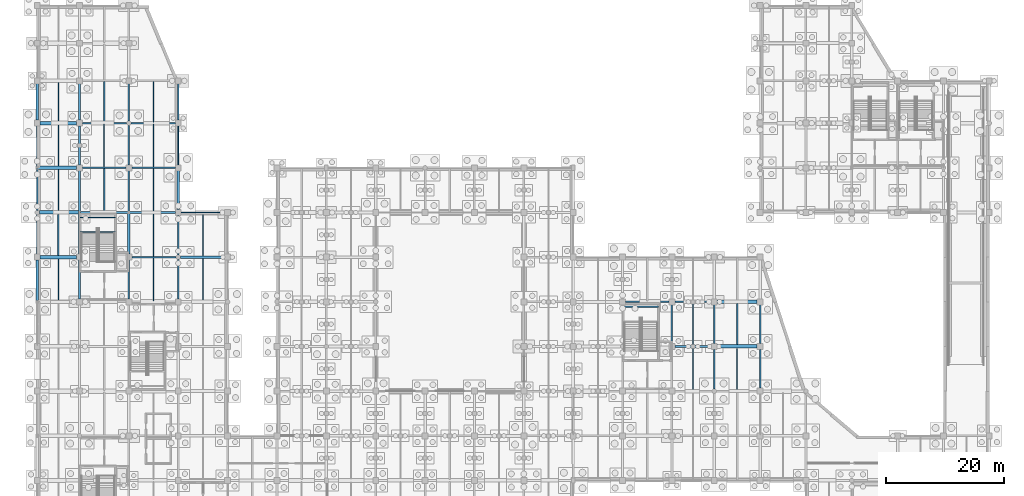
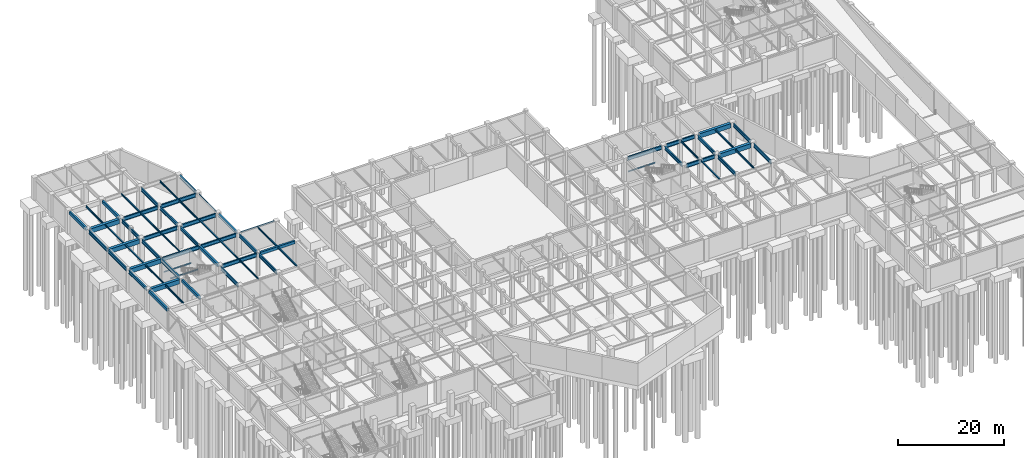
# One storey, part 26 of 52: 65 beams.
"""IFC4 building model written with IfcOpenShell, lengths in metres."""

import ifcopenshell
import ifcopenshell.guid

model = None  # the IFC model being written
_history = None  # IfcOwnerHistory: only IFC2X3 demands one
_inside = {}  # id of a spatial element -> (the spatial element, [elements in it])
_under = {}  # id of a project, library or spatial element -> (it, [spatial elements below it])
_declared = {}  # id of a project -> (the project, [libraries it declares])
_typed = {}  # id of a type object -> (the type object, [elements of that type])
_made_of = {}  # id of a material, layer set ... -> (it, [elements and type objects made of it])


def new_model(schema):
    """Start an empty IFC model of exactly this schema.

    Asked for "IFC4X3", IfcOpenShell would pick the latest addendum, in which some entities
    have other attributes; the version numbers below select the first issue.
    IFC2X3 requires an IfcOwnerHistory on every rooted entity: one is made here for all.
    """
    global model, _history
    if schema == "IFC4X3":
        model = ifcopenshell.file(schema_version=(4, 3, 0, 0))
    else:
        model = ifcopenshell.file(schema=schema)
    _inside.clear()
    _under.clear()
    _declared.clear()
    _typed.clear()
    _made_of.clear()
    _history = None
    if model.schema == "IFC2X3":
        org = make("IfcOrganization", Name="unknown")
        user = make(
            "IfcPersonAndOrganization",
            ThePerson=make("IfcPerson", FamilyName="unknown"),
            TheOrganization=org,
        )
        app = make(
            "IfcApplication",
            ApplicationDeveloper=org,
            Version="unknown",
            ApplicationFullName="unknown",
            ApplicationIdentifier="unknown",
        )
        _history = make(
            "IfcOwnerHistory",
            OwningUser=user,
            OwningApplication=app,
            ChangeAction="ADDED",
            CreationDate=0,
        )
    return model


def make(cls, **values):
    """One entity of the class cls with the attributes given. An attribute that is None is left unset."""
    return model.create_entity(
        cls, **{name: value for name, value in values.items() if value is not None}
    )


def rooted(cls, **values):
    """An entity with a GlobalId (a new one), such as an element, a storey or a relation."""
    return make(cls, GlobalId=ifcopenshell.guid.new(), OwnerHistory=_history, **values)


def si_unit(unit_type, name, prefix=None):
    """IfcSIUnit, for example si_unit("LENGTHUNIT", "METRE", prefix="MILLI")."""
    return make("IfcSIUnit", UnitType=unit_type, Prefix=prefix, Name=name)


def assignment(units):
    """IfcUnitAssignment: the units of a project."""
    return None if units is None else make("IfcUnitAssignment", Units=units)


def point(xyz):
    """IfcCartesianPoint."""
    return None if xyz is None else make("IfcCartesianPoint", Coordinates=xyz)


def direction(xyz):
    """IfcDirection."""
    return None if xyz is None else make("IfcDirection", DirectionRatios=xyz)


def frame(location, z_axis=None, x_axis=None):
    """IfcAxis2Placement3D, a coordinate frame: its origin and axes. An axis left out is left unset."""
    return make(
        "IfcAxis2Placement3D",
        Location=point(location),
        Axis=direction(z_axis),
        RefDirection=direction(x_axis),
    )


def frame_2d(location, x_axis=None):
    """IfcAxis2Placement2D, a coordinate frame in the plane: its origin and x axis."""
    return make(
        "IfcAxis2Placement2D", Location=point(location), RefDirection=direction(x_axis)
    )


def origin():
    """The frame at (0, 0, 0) with its axes left unset."""
    return frame((0.0, 0.0, 0.0))


def origin_2d():
    """The frame at (0, 0) in the plane with its x axis left unset."""
    return frame_2d((0.0, 0.0))


def place(relative_to, where):
    """IfcLocalPlacement: puts the frame where relative to a parent placement (None: the world)."""
    return make(
        "IfcLocalPlacement", PlacementRelTo=relative_to, RelativePlacement=where
    )


def context(
    kind, dimensions, precision=None, world=None, true_north=None, identifier=None
):
    """IfcGeometricRepresentationContext, for example the 3D "Model" context."""
    return make(
        "IfcGeometricRepresentationContext",
        ContextIdentifier=identifier,
        ContextType=kind,
        CoordinateSpaceDimension=dimensions,
        Precision=precision,
        WorldCoordinateSystem=world,
        TrueNorth=true_north,
    )


def subcontext(parent, identifier, kind, view, scale=None):
    """IfcGeometricRepresentationSubContext, for example "Body" below "Model"."""
    return make(
        "IfcGeometricRepresentationSubContext",
        ContextIdentifier=identifier,
        ContextType=kind,
        ParentContext=parent,
        TargetScale=scale,
        TargetView=view,
    )


def project(units=None, contexts=None):
    """IfcProject with its units and contexts."""
    return rooted(
        "IfcProject",
        Name="project",
        RepresentationContexts=contexts,
        UnitsInContext=assignment(units),
    )


def spatial(cls, under=None, at=None, **own):
    """A site, building, storey or space (cls), placed at a placement, below another one or the project."""
    s = rooted(cls, ObjectPlacement=at, **own)
    if under is not None:
        _under.setdefault(under.id(), (under, []))[1].append(s)
    return s


def profile(cls, at=None, kind="AREA", **sizes):
    """A parametric profile (cls). Its sizes go by their IFC names, for example OverallWidth=200.0."""
    return make(cls, ProfileType=kind, Position=at, **sizes)


def rectangle(**sizes):
    """IfcRectangleProfileDef."""
    return profile("IfcRectangleProfileDef", **sizes)


def hollow_rectangle(**sizes):
    """IfcRectangleHollowProfileDef."""
    return profile("IfcRectangleHollowProfileDef", **sizes)


def i_section(**sizes):
    """IfcIShapeProfileDef."""
    return profile("IfcIShapeProfileDef", **sizes)


def extrude(swept, where, along, depth):
    """IfcExtrudedAreaSolid: the profile swept, set in the frame where, extruded along a direction by depth."""
    return make(
        "IfcExtrudedAreaSolid",
        SweptArea=swept,
        Position=where,
        ExtrudedDirection=direction(along),
        Depth=depth,
    )


def shape(context_of_items, identifier, shape_type, items):
    """IfcShapeRepresentation: the items that make up one representation, for example the "Body"."""
    return make(
        "IfcShapeRepresentation",
        ContextOfItems=context_of_items,
        RepresentationIdentifier=identifier,
        RepresentationType=shape_type,
        Items=items,
    )


def material(Name=None, Category=None):
    """IfcMaterial."""
    return make("IfcMaterial", Name=Name, Category=Category)


def material_profile(
    of_material, cross_section, Name=None, Category=None, Priority=None
):
    """IfcMaterialProfile: a cross section and its material."""
    return make(
        "IfcMaterialProfile",
        Name=Name,
        Material=of_material,
        Profile=cross_section,
        Priority=Priority,
        Category=Category,
    )


def profile_set(profiles, Name=None, composite=None):
    """IfcMaterialProfileSet."""
    return make(
        "IfcMaterialProfileSet",
        Name=Name,
        MaterialProfiles=profiles,
        CompositeProfile=composite,
    )


def made_of(thing, what):
    """Note that an element or type object is made of a material, layer set ...; save() writes the relation."""
    if what is not None:
        _made_of.setdefault(what.id(), (what, []))[1].append(thing)
    return thing


def type_object(cls, material=None, **own):
    """A type object (cls), such as IfcWallType, which elements share."""
    return made_of(rooted(cls, **own), material)


def element(
    cls,
    number,
    at=None,
    inside=None,
    cuts=None,
    type_object=None,
    material=None,
    context=None,
    identifier="Body",
    shape_type=None,
    held_by="IfcProductDefinitionShape",
    body=None,
    shapes=None,
    **own,
):
    """One element of the class cls, such as IfcWall. Its Tag is "e" and its number.

    at: its placement. inside: the storey or other place that contains it. cuts: it is an
    opening in that element (IfcRelVoidsElement). A single representation is given by context,
    identifier, shape_type and body (its items); several are given by shapes. held_by: the class
    of the entity that holds the representations. save() writes the other relations.
    """
    e = rooted(cls, Tag="e%d" % number, ObjectPlacement=at, **own)
    if body is not None:
        shapes = [shape(context, identifier, shape_type, body)]
    if shapes is not None:
        e.Representation = make(held_by, Representations=shapes)
    if inside is not None:
        _inside.setdefault(inside.id(), (inside, []))[1].append(e)
    if cuts is not None:
        rooted(
            "IfcRelVoidsElement", RelatingBuildingElement=cuts, RelatedOpeningElement=e
        )
    if type_object is not None:
        _typed.setdefault(type_object.id(), (type_object, []))[1].append(e)
    return made_of(e, material)


def aggregate(whole, parts):
    """IfcRelAggregates: a whole, such as a stair, and the parts it consists of."""
    return rooted("IfcRelAggregates", RelatingObject=whole, RelatedObjects=parts)


def save(model, path):
    """Write the relations noted so far, then the file.

    IfcRelAggregates (storeys below a building ...), IfcRelContainedInSpatialStructure (elements
    in a storey), IfcRelDefinesByType, IfcRelAssociatesMaterial and IfcRelDeclares: one each for
    every whole, place, type object, material and project.
    """
    for whole, parts in _under.values():
        aggregate(whole, parts)
    for where, things in _inside.values():
        rooted(
            "IfcRelContainedInSpatialStructure",
            RelatedElements=things,
            RelatingStructure=where,
        )
    for kind, things in _typed.values():
        rooted("IfcRelDefinesByType", RelatedObjects=things, RelatingType=kind)
    for what, things in _made_of.values():
        rooted("IfcRelAssociatesMaterial", RelatedObjects=things, RelatingMaterial=what)
    for by, libraries in _declared.values():
        rooted("IfcRelDeclares", RelatingContext=by, RelatedDefinitions=libraries)
    model.write(path)


model = new_model("IFC4")

# Units and contexts
model_context = context("Model", 3, precision=1e-05, world=origin(), true_north=direction((0.0, 1.0)))
body_context = subcontext(model_context, "Body", "Model", "MODEL_VIEW")
ifc_project = project(units=[si_unit("LENGTHUNIT", "METRE"), si_unit("AREAUNIT", "SQUARE_METRE"), si_unit("VOLUMEUNIT", "CUBIC_METRE"), si_unit("PLANEANGLEUNIT", "RADIAN"), si_unit("MASSUNIT", "GRAM", prefix="KILO")], contexts=[model_context])

# Site, building, storey
site_placement = place(None, origin())
site = spatial("IfcSite", under=ifc_project, at=site_placement, CompositionType="ELEMENT")
building_placement = place(site_placement, origin())
building = spatial("IfcBuilding", under=site, at=building_placement, Name="Xicomal Pleat Aquarium", CompositionType="ELEMENT")
storey_placement = place(building_placement, frame((0.0, 0.0, -5.39990234375)))
storey = spatial("IfcBuildingStorey", under=building, at=storey_placement, Name="B1", CompositionType="ELEMENT", Elevation=-5.39990234375)

# Beams
ifc_material_1 = material(Name="Concrete C40/50", Category="concrete")
ifc_material_profile_1 = material_profile(ifc_material_1, rectangle(XDim=0.39990234375, YDim=0.64990234375, at=origin_2d()), Name="RC 400x650")
ifc_profile_set_1 = profile_set([ifc_material_profile_1], Name="Concrete C40/50")
beam_type_1 = type_object("IfcBeamType", Name="BM-RC-400x650", PredefinedType="LINTEL", material=ifc_profile_set_1)
beam_1_placement = place(storey_placement, frame((27.3701171875, 68.39990234375, 4.81494140625), z_axis=(1.0, 0.0, 0.0), x_axis=(0.0, 1.0, 0.0)))
element("IfcBeam", 1, at=beam_1_placement, inside=storey, type_object=beam_type_1, Name="B1 framing beam FGX-B1-04-05-K", PredefinedType="LINTEL", context=body_context, shape_type="SweptSolid", body=[
    extrude(rectangle(XDim=0.39990234375, YDim=0.64990234375, at=origin_2d()), origin(), (0.0, 0.0, 1.0), 7.534912109375),
])
beam_2_placement = place(storey_placement, frame((3.0, 60.945068359375, 4.81494140625), z_axis=(0.0, 1.0, 0.0), x_axis=(-1.0, 0.0, 0.0)))
element("IfcBeam", 2, at=beam_2_placement, inside=storey, type_object=beam_type_1, Name="B1 framing beam FGY-B1-01-J-K", PredefinedType="LINTEL", context=body_context, shape_type="SweptSolid", body=[
    extrude(rectangle(XDim=0.39990234375, YDim=0.64990234375, at=origin_2d()), origin(), (0.0, 0.0, 1.0), 6.9599609375),
])
beam_3_placement = place(storey_placement, frame((3.0, 91.695068359375, 4.81494140625), z_axis=(0.0, 1.0, 0.0), x_axis=(-1.0, 0.0, 0.0)))
element("IfcBeam", 3, at=beam_3_placement, inside=storey, type_object=beam_type_1, Name="B1 framing beam FGY-B1-01-N-P", PredefinedType="LINTEL", context=body_context, shape_type="SweptSolid", body=[
    extrude(rectangle(XDim=0.39990234375, YDim=0.64990234375, at=origin_2d()), origin(), (0.0, 0.0, 1.0), 6.2099609375),
])
beam_4_placement = place(storey_placement, frame((10.199951171875, 61.294921875, 4.81494140625), z_axis=(0.0, 1.0, 0.0), x_axis=(-1.0, 0.0, 0.0)))
element("IfcBeam", 4, at=beam_4_placement, inside=storey, type_object=beam_type_1, Name="B1 framing beam FGY-B1-02-J-K", PredefinedType="LINTEL", context=body_context, shape_type="SweptSolid", body=[
    extrude(rectangle(XDim=0.39990234375, YDim=0.64990234375, at=origin_2d()), origin(), (0.0, 0.0, 1.0), 6.610107421875),
])
beam_5_placement = place(storey_placement, frame((10.199951171875, 91.695068359375, 4.81494140625), z_axis=(0.0, 1.0, 0.0), x_axis=(-1.0, 0.0, 0.0)))
element("IfcBeam", 5, at=beam_5_placement, inside=storey, type_object=beam_type_1, Name="B1 framing beam FGY-B1-02-N-P", PredefinedType="LINTEL", context=body_context, shape_type="SweptSolid", body=[
    extrude(rectangle(XDim=0.39990234375, YDim=0.64990234375, at=origin_2d()), origin(), (0.0, 0.0, 1.0), 6.2099609375),
])
beam_6_placement = place(storey_placement, frame((18.60009765625, 68.89501953125, 4.81494140625), z_axis=(0.0, 1.0, 0.0), x_axis=(-1.0, 0.0, 0.0)))
element("IfcBeam", 6, at=beam_6_placement, inside=storey, type_object=beam_type_1, Name="B1 framing beam FGY-B1-03-K-L", PredefinedType="LINTEL", context=body_context, shape_type="SweptSolid", body=[
    extrude(rectangle(XDim=0.39990234375, YDim=0.64990234375, at=origin_2d()), origin(), (0.0, 0.0, 1.0), 6.9599609375),
])
beam_7_placement = place(storey_placement, frame((27.0, 76.4951171875, 4.81494140625), z_axis=(0.0, 1.0, 0.0), x_axis=(-1.0, 0.0, 0.0)))
element("IfcBeam", 7, at=beam_7_placement, inside=storey, type_object=beam_type_1, Name="B1 framing beam FGY-B1-04-L-M", PredefinedType="LINTEL", context=body_context, shape_type="SweptSolid", body=[
    extrude(rectangle(XDim=0.39990234375, YDim=0.64990234375, at=origin_2d()), origin(), (0.0, 0.0, 1.0), 6.60986328125),
])
ifc_material_2 = material(Name="Concrete C40/50", Category="concrete")
ifc_material_profile_2 = material_profile(ifc_material_2, rectangle(XDim=0.60009765625, YDim=1.0, at=origin_2d()), Name="RC 600x1000")
ifc_profile_set_2 = profile_set([ifc_material_profile_2], Name="Concrete C40/50")
beam_type_2 = type_object("IfcBeamType", Name="BM-RC-600x1000", PredefinedType="T_BEAM", material=ifc_profile_set_2)
for number, where, z_axis, x_axis, name in (
    (8, (118.695068359375, 53.199951171875, 4.639892578125), (1.0, 0.0, 0.0), (0.0, 1.0, 0.0), "B1 framing beam FGX-B1-15-16-H"),
    (9, (118.695068359375, 60.800048828125, 4.639892578125), (1.0, 0.0, 0.0), (0.0, 1.0, 0.0), "B1 framing beam FGX-B1-15-16-J"),
):
    element("IfcBeam", number, at=place(storey_placement, frame(where, z_axis=z_axis, x_axis=x_axis)), inside=storey, type_object=beam_type_2, Name=name, PredefinedType="T_BEAM", context=body_context, shape_type="SweptSolid", body=[
        extrude(rectangle(XDim=0.60009765625, YDim=1.0, at=origin_2d()), origin(), (0.0, 0.0, 1.0), 6.809814453125),
    ])
beam_8_placement = place(storey_placement, frame((3.4951171875, 68.39990234375, 4.639892578125), z_axis=(1.0, 0.0, 0.0), x_axis=(0.0, 1.0, 0.0)))
element("IfcBeam", 10, at=beam_8_placement, inside=storey, type_object=beam_type_2, Name="B1 framing beam FGX-B1-01-02-K", PredefinedType="T_BEAM", context=body_context, shape_type="SweptSolid", body=[
    extrude(rectangle(XDim=0.60009765625, YDim=1.0, at=origin_2d()), origin(), (0.0, 0.0, 1.0), 6.2099609375),
])
beam_9_placement = place(storey_placement, frame((3.3701171875, 76.0, 4.639892578125), z_axis=(1.0, 0.0, 0.0), x_axis=(0.0, 1.0, 0.0)))
element("IfcBeam", 11, at=beam_9_placement, inside=storey, type_object=beam_type_2, Name="B1 framing beam FGX-B1-01-02-L", PredefinedType="T_BEAM", context=body_context, shape_type="SweptSolid", body=[
    extrude(rectangle(XDim=0.60009765625, YDim=1.0, at=origin_2d()), origin(), (0.0, 0.0, 1.0), 6.684814453125),
])
beam_10_placement = place(storey_placement, frame((3.14501953125, 83.60009765625, 4.639892578125), z_axis=(1.0, 0.0, 0.0), x_axis=(0.0, 1.0, 0.0)))
element("IfcBeam", 12, at=beam_10_placement, inside=storey, type_object=beam_type_2, Name="B1 framing beam FGX-B1-01-02-M", PredefinedType="T_BEAM", context=body_context, shape_type="SweptSolid", body=[
    extrude(rectangle(XDim=0.60009765625, YDim=1.0, at=origin_2d()), origin(), (0.0, 0.0, 1.0), 6.56005859375),
])
beam_11_placement = place(storey_placement, frame((3.4951171875, 91.199951171875, 4.639892578125), z_axis=(1.0, 0.0, 0.0), x_axis=(0.0, 1.0, 0.0)))
element("IfcBeam", 13, at=beam_11_placement, inside=storey, type_object=beam_type_2, Name="B1 framing beam FGX-B1-01-02-N", PredefinedType="T_BEAM", context=body_context, shape_type="SweptSolid", body=[
    extrude(rectangle(XDim=0.60009765625, YDim=1.0, at=origin_2d()), origin(), (0.0, 0.0, 1.0), 6.2099609375),
])
ifc_material_3 = material(Name="Structural steel A992 Gr 50", Category="steel")
ifc_material_profile_3 = material_profile(ifc_material_3, i_section(OverallWidth=0.201904296875, OverallDepth=0.2470703125, WebThickness=0.00732421875, FlangeThickness=0.010986328125, at=origin_2d()), Name="IR 250x49")
ifc_profile_set_3 = profile_set([ifc_material_profile_3], Name="Structural steel A992 Gr 50")
beam_type_3 = type_object("IfcBeamType", Name="BM-STL-IR250", PredefinedType="JOIST", material=ifc_profile_set_3)
beam_12_placement = place(storey_placement, frame((6.60009765625, 83.903076171875, 5.016357421875), z_axis=(0.0, 1.0, 0.0), x_axis=(-1.0, 0.0, 0.0)))
element("IfcBeam", 14, at=beam_12_placement, inside=storey, type_object=beam_type_3, Name="B1 framing beam FBJ-B1-01-M-1", PredefinedType="JOIST", context=body_context, shape_type="SweptSolid", body=[
    extrude(i_section(OverallWidth=0.201904296875, OverallDepth=0.2470703125, WebThickness=0.00732421875, FlangeThickness=0.010986328125, at=origin_2d()), origin(), (0.0, 0.0, 1.0), 6.993896484375),
])
for number, where, z_axis, x_axis, name in (
    (15, (14.39990234375, 76.14990234375, 5.016357421875), (0.0, 1.0, 0.0), (-1.0, 0.0, 0.0), "B1 framing beam FBJ-B1-02-L-1"),
    (16, (22.800048828125, 76.14990234375, 5.016357421875), (0.0, 1.0, 0.0), (-1.0, 0.0, 0.0), "B1 framing beam FBJ-B1-03-L-1"),
    (17, (114.60009765625, 45.75, 5.016357421875), (0.0, 1.0, 0.0), (-1.0, 0.0, 0.0), "B1 framing beam FBJ-B1-14-G-1"),
):
    element("IfcBeam", number, at=place(storey_placement, frame(where, z_axis=z_axis, x_axis=x_axis)), inside=storey, type_object=beam_type_3, Name=name, PredefinedType="JOIST", context=body_context, shape_type="SweptSolid", body=[
        extrude(i_section(OverallWidth=0.201904296875, OverallDepth=0.2470703125, WebThickness=0.00732421875, FlangeThickness=0.010986328125, at=origin_2d()), origin(), (0.0, 0.0, 1.0), 7.300048828125),
    ])
for number, where, z_axis, x_axis, name in (
    (18, (10.320068359375, 75.14990234375, 2.37890625), (1.0, 0.0, 0.0), (0.0, 1.0, 0.0), "ST-03-B1 half-landing bearer beam 1"),
    (19, (10.320068359375, 72.669921875, 2.37890625), (1.0, 0.0, 0.0), (0.0, 1.0, 0.0), "ST-03-B1 half-landing bearer beam 2"),
    (20, (102.719970703125, 59.949951171875, 2.37890625), (1.0, 0.0, 0.0), (0.0, 1.0, 0.0), "ST-07-B1 half-landing bearer beam 1"),
):
    element("IfcBeam", number, at=place(storey_placement, frame(where, z_axis=z_axis, x_axis=x_axis)), inside=storey, type_object=beam_type_3, Name=name, PredefinedType="JOIST", context=body_context, shape_type="SweptSolid", body=[
        extrude(i_section(OverallWidth=0.201904296875, OverallDepth=0.2470703125, WebThickness=0.00732421875, FlangeThickness=0.010986328125, at=origin_2d()), origin(), (0.0, 0.0, 1.0), 6.02001953125),
    ])
ifc_material_4 = material(Name="Structural steel A992 Gr 50", Category="steel")
ifc_material_profile_4 = material_profile(ifc_material_4, i_section(OverallWidth=0.202880859375, OverallDepth=0.302978515625, WebThickness=0.007568359375, FlangeThickness=0.01318359375, at=origin_2d()), Name="IR 310x60")
ifc_profile_set_4 = profile_set([ifc_material_profile_4], Name="Structural steel A992 Gr 50")
beam_type_4 = type_object("IfcBeamType", Name="BM-STL-IR310", PredefinedType="JOIST", material=ifc_profile_set_4)
beam_13_placement = place(storey_placement, frame((6.60009765625, 76.302978515625, 4.98828125), z_axis=(0.0, 1.0, 0.0), x_axis=(-1.0, 0.0, 0.0)))
element("IfcBeam", 21, at=beam_13_placement, inside=storey, type_object=beam_type_4, Name="B1 framing beam FBJ-B1-01-L-1", PredefinedType="JOIST", context=body_context, shape_type="SweptSolid", body=[
    extrude(i_section(OverallWidth=0.202880859375, OverallDepth=0.302978515625, WebThickness=0.007568359375, FlangeThickness=0.01318359375, at=origin_2d()), origin(), (0.0, 0.0, 1.0), 6.994140625),
])
beam_14_placement = place(storey_placement, frame((22.800048828125, 68.550048828125, 4.98828125), z_axis=(0.0, 1.0, 0.0), x_axis=(-1.0, 0.0, 0.0)))
element("IfcBeam", 22, at=beam_14_placement, inside=storey, type_object=beam_type_4, Name="B1 framing beam FBJ-B1-03-K-1", PredefinedType="JOIST", context=body_context, shape_type="SweptSolid", body=[
    extrude(i_section(OverallWidth=0.202880859375, OverallDepth=0.302978515625, WebThickness=0.007568359375, FlangeThickness=0.01318359375, at=origin_2d()), origin(), (0.0, 0.0, 1.0), 7.300048828125),
])
beam_15_placement = place(storey_placement, frame((31.199951171875, 68.60302734375, 4.98828125), z_axis=(0.0, 1.0, 0.0), x_axis=(-1.0, 0.0, 0.0)))
element("IfcBeam", 23, at=beam_15_placement, inside=storey, type_object=beam_type_4, Name="B1 framing beam FBJ-B1-04-K-1", PredefinedType="JOIST", context=body_context, shape_type="SweptSolid", body=[
    extrude(i_section(OverallWidth=0.202880859375, OverallDepth=0.302978515625, WebThickness=0.007568359375, FlangeThickness=0.01318359375, at=origin_2d()), origin(), (0.0, 0.0, 1.0), 7.319091796875),
])
ifc_material_5 = material(Name="Structural steel A992 Gr 50", Category="steel")
ifc_material_profile_5 = material_profile(ifc_material_5, i_section(OverallWidth=0.205078125, OverallDepth=0.35400390625, WebThickness=0.009521484375, FlangeThickness=0.016845703125, at=origin_2d()), Name="IR 360x79")
ifc_profile_set_5 = profile_set([ifc_material_profile_5], Name="Structural steel A992 Gr 50")
beam_type_5 = type_object("IfcBeamType", Name="BM-STL-IR360", PredefinedType="JOIST", material=ifc_profile_set_5)
beam_16_placement = place(storey_placement, frame((6.60009765625, 68.702880859375, 4.962890625), z_axis=(0.0, 1.0, 0.0), x_axis=(-1.0, 0.0, 0.0)))
element("IfcBeam", 24, at=beam_16_placement, inside=storey, type_object=beam_type_5, Name="B1 framing beam FBJ-B1-01-K-1", PredefinedType="JOIST", context=body_context, shape_type="SweptSolid", body=[
    extrude(i_section(OverallWidth=0.205078125, OverallDepth=0.35400390625, WebThickness=0.009521484375, FlangeThickness=0.016845703125, at=origin_2d()), origin(), (0.0, 0.0, 1.0), 6.994140625),
])
beam_17_placement = place(storey_placement, frame((14.39990234375, 91.35009765625, 4.962890625), z_axis=(0.0, 1.0, 0.0), x_axis=(-1.0, 0.0, 0.0)))
element("IfcBeam", 25, at=beam_17_placement, inside=storey, type_object=beam_type_5, Name="B1 framing beam FBJ-B1-02-N-1", PredefinedType="JOIST", context=body_context, shape_type="SweptSolid", body=[
    extrude(i_section(OverallWidth=0.205078125, OverallDepth=0.35400390625, WebThickness=0.009521484375, FlangeThickness=0.016845703125, at=origin_2d()), origin(), (0.0, 0.0, 1.0), 6.89990234375),
])
beam_18_placement = place(storey_placement, frame((22.800048828125, 60.949951171875, 4.962890625), z_axis=(0.0, 1.0, 0.0), x_axis=(-1.0, 0.0, 0.0)))
element("IfcBeam", 26, at=beam_18_placement, inside=storey, type_object=beam_type_5, Name="B1 framing beam FBJ-B1-03-J-1", PredefinedType="JOIST", context=body_context, shape_type="SweptSolid", body=[
    extrude(i_section(OverallWidth=0.205078125, OverallDepth=0.35400390625, WebThickness=0.009521484375, FlangeThickness=0.016845703125, at=origin_2d()), origin(), (0.0, 0.0, 1.0), 7.300048828125),
])
beam_19_placement = place(storey_placement, frame((22.800048828125, 91.35009765625, 4.962890625), z_axis=(0.0, 1.0, 0.0), x_axis=(-1.0, 0.0, 0.0)))
element("IfcBeam", 27, at=beam_19_placement, inside=storey, type_object=beam_type_5, Name="B1 framing beam FBJ-B1-03-N-1", PredefinedType="JOIST", context=body_context, shape_type="SweptSolid", body=[
    extrude(i_section(OverallWidth=0.205078125, OverallDepth=0.35400390625, WebThickness=0.009521484375, FlangeThickness=0.016845703125, at=origin_2d()), origin(), (0.0, 0.0, 1.0), 6.89990234375),
])
beam_20_placement = place(storey_placement, frame((31.199951171875, 61.0029296875, 4.962890625), z_axis=(0.0, 1.0, 0.0), x_axis=(-1.0, 0.0, 0.0)))
element("IfcBeam", 28, at=beam_20_placement, inside=storey, type_object=beam_type_5, Name="B1 framing beam FBJ-B1-04-J-1", PredefinedType="JOIST", context=body_context, shape_type="SweptSolid", body=[
    extrude(i_section(OverallWidth=0.205078125, OverallDepth=0.35400390625, WebThickness=0.009521484375, FlangeThickness=0.016845703125, at=origin_2d()), origin(), (0.0, 0.0, 1.0), 7.194091796875),
])
beam_21_placement = place(storey_placement, frame((122.10009765625, 53.5029296875, 4.962890625), z_axis=(0.0, 1.0, 0.0), x_axis=(-1.0, 0.0, 0.0)))
element("IfcBeam", 29, at=beam_21_placement, inside=storey, type_object=beam_type_5, Name="B1 framing beam FBJ-B1-15-H-1", PredefinedType="JOIST", context=body_context, shape_type="SweptSolid", body=[
    extrude(i_section(OverallWidth=0.205078125, OverallDepth=0.35400390625, WebThickness=0.009521484375, FlangeThickness=0.016845703125, at=origin_2d()), origin(), (0.0, 0.0, 1.0), 6.994140625),
])
ifc_material_6 = material(Name="Structural steel A992 Gr 50", Category="steel")
ifc_material_profile_6 = material_profile(ifc_material_6, i_section(OverallWidth=0.180908203125, OverallDepth=0.4169921875, WebThickness=0.010986328125, FlangeThickness=0.018310546875, at=origin_2d()), Name="IR 410x85")
ifc_profile_set_6 = profile_set([ifc_material_profile_6], Name="Structural steel A992 Gr 50")
beam_type_6 = type_object("IfcBeamType", Name="BM-STL-IR410", PredefinedType="JOIST", material=ifc_profile_set_6)
beam_22_placement = place(storey_placement, frame((6.60009765625, 61.10302734375, 4.931396484375), z_axis=(0.0, 1.0, 0.0), x_axis=(-1.0, 0.0, 0.0)))
element("IfcBeam", 30, at=beam_22_placement, inside=storey, type_object=beam_type_6, Name="B1 framing beam FBJ-B1-01-J-1", PredefinedType="JOIST", context=body_context, shape_type="SweptSolid", body=[
    extrude(i_section(OverallWidth=0.180908203125, OverallDepth=0.4169921875, WebThickness=0.010986328125, FlangeThickness=0.018310546875, at=origin_2d()), origin(), (0.0, 0.0, 1.0), 6.993896484375),
])
beam_23_placement = place(storey_placement, frame((6.60009765625, 91.5029296875, 4.931396484375), z_axis=(0.0, 1.0, 0.0), x_axis=(-1.0, 0.0, 0.0)))
element("IfcBeam", 31, at=beam_23_placement, inside=storey, type_object=beam_type_6, Name="B1 framing beam FBJ-B1-01-N-1", PredefinedType="JOIST", context=body_context, shape_type="SweptSolid", body=[
    extrude(i_section(OverallWidth=0.180908203125, OverallDepth=0.4169921875, WebThickness=0.010986328125, FlangeThickness=0.018310546875, at=origin_2d()), origin(), (0.0, 0.0, 1.0), 6.593994140625),
])
for number, where, z_axis, x_axis, name in (
    (32, (14.39990234375, 83.75, 4.931396484375), (0.0, 1.0, 0.0), (-1.0, 0.0, 0.0), "B1 framing beam FBJ-B1-02-M-1"),
    (33, (22.800048828125, 83.75, 4.931396484375), (0.0, 1.0, 0.0), (-1.0, 0.0, 0.0), "B1 framing beam FBJ-B1-03-M-1"),
):
    element("IfcBeam", number, at=place(storey_placement, frame(where, z_axis=z_axis, x_axis=x_axis)), inside=storey, type_object=beam_type_6, Name=name, PredefinedType="JOIST", context=body_context, shape_type="SweptSolid", body=[
        extrude(i_section(OverallWidth=0.180908203125, OverallDepth=0.4169921875, WebThickness=0.010986328125, FlangeThickness=0.018310546875, at=origin_2d()), origin(), (0.0, 0.0, 1.0), 7.300048828125),
    ])
beam_24_placement = place(storey_placement, frame((114.60009765625, 53.35009765625, 4.931396484375), z_axis=(0.0, 1.0, 0.0), x_axis=(-1.0, 0.0, 0.0)))
element("IfcBeam", 34, at=beam_24_placement, inside=storey, type_object=beam_type_6, Name="B1 framing beam FBJ-B1-14-H-1", PredefinedType="JOIST", context=body_context, shape_type="SweptSolid", body=[
    extrude(i_section(OverallWidth=0.180908203125, OverallDepth=0.4169921875, WebThickness=0.010986328125, FlangeThickness=0.018310546875, at=origin_2d()), origin(), (0.0, 0.0, 1.0), 7.2998046875),
])
beam_25_placement = place(storey_placement, frame((122.10009765625, 45.75, 4.931396484375), z_axis=(0.0, 1.0, 0.0), x_axis=(-1.0, 0.0, 0.0)))
element("IfcBeam", 35, at=beam_25_placement, inside=storey, type_object=beam_type_6, Name="B1 framing beam FBJ-B1-15-G-1", PredefinedType="JOIST", context=body_context, shape_type="SweptSolid", body=[
    extrude(i_section(OverallWidth=0.180908203125, OverallDepth=0.4169921875, WebThickness=0.010986328125, FlangeThickness=0.018310546875, at=origin_2d()), origin(), (0.0, 0.0, 1.0), 7.14697265625),
])
ifc_material_7 = material(Name="Structural steel A992 Gr 50", Category="steel")
ifc_material_profile_7 = material_profile(ifc_material_7, i_section(OverallWidth=0.26806640625, OverallDepth=0.77001953125, WebThickness=0.015625, FlangeThickness=0.025390625, at=origin_2d()), Name="IR 760x196")
ifc_profile_set_7 = profile_set([ifc_material_profile_7], Name="Structural steel A992 Gr 50")
beam_type_7 = type_object("IfcBeamType", Name="BM-STL-IR760", PredefinedType="BEAM", material=ifc_profile_set_7)
beam_26_placement = place(storey_placement, frame((3.0, 68.89501953125, 4.7548828125), z_axis=(0.0, 1.0, 0.0), x_axis=(-1.0, 0.0, 0.0)))
element("IfcBeam", 36, at=beam_26_placement, inside=storey, type_object=beam_type_7, Name="B1 framing beam FGY-B1-01-K-L", PredefinedType="BEAM", context=body_context, shape_type="SweptSolid", body=[
    extrude(i_section(OverallWidth=0.26806640625, OverallDepth=0.77001953125, WebThickness=0.015625, FlangeThickness=0.025390625, at=origin_2d()), origin(), (0.0, 0.0, 1.0), 6.73486328125),
])
beam_27_placement = place(storey_placement, frame((3.0, 76.3701171875, 4.7548828125), z_axis=(0.0, 1.0, 0.0), x_axis=(-1.0, 0.0, 0.0)))
element("IfcBeam", 37, at=beam_27_placement, inside=storey, type_object=beam_type_7, Name="B1 framing beam FGY-B1-01-L-M", PredefinedType="BEAM", context=body_context, shape_type="SweptSolid", body=[
    extrude(i_section(OverallWidth=0.26806640625, OverallDepth=0.77001953125, WebThickness=0.015625, FlangeThickness=0.025390625, at=origin_2d()), origin(), (0.0, 0.0, 1.0), 7.0849609375),
])
for number, where, z_axis, x_axis, name in (
    (38, (3.0, 83.7451171875, 4.7548828125), (0.0, 1.0, 0.0), (-1.0, 0.0, 0.0), "B1 framing beam FGY-B1-01-M-N"),
    (39, (10.199951171875, 68.89501953125, 4.7548828125), (0.0, 1.0, 0.0), (-1.0, 0.0, 0.0), "B1 framing beam FGY-B1-02-K-L"),
    (40, (10.199951171875, 76.14501953125, 4.7548828125), (0.0, 1.0, 0.0), (-1.0, 0.0, 0.0), "B1 framing beam FGY-B1-02-L-M"),
):
    element("IfcBeam", number, at=place(storey_placement, frame(where, z_axis=z_axis, x_axis=x_axis)), inside=storey, type_object=beam_type_7, Name=name, PredefinedType="BEAM", context=body_context, shape_type="SweptSolid", body=[
        extrude(i_section(OverallWidth=0.26806640625, OverallDepth=0.77001953125, WebThickness=0.015625, FlangeThickness=0.025390625, at=origin_2d()), origin(), (0.0, 0.0, 1.0), 6.9599609375),
    ])
for number, where, z_axis, x_axis, name in (
    (41, (10.199951171875, 84.094970703125, 4.7548828125), (0.0, 1.0, 0.0), (-1.0, 0.0, 0.0), "B1 framing beam FGY-B1-02-M-N"),
    (42, (18.60009765625, 61.294921875, 4.7548828125), (0.0, 1.0, 0.0), (-1.0, 0.0, 0.0), "B1 framing beam FGY-B1-03-J-K"),
):
    element("IfcBeam", number, at=place(storey_placement, frame(where, z_axis=z_axis, x_axis=x_axis)), inside=storey, type_object=beam_type_7, Name=name, PredefinedType="BEAM", context=body_context, shape_type="SweptSolid", body=[
        extrude(i_section(OverallWidth=0.26806640625, OverallDepth=0.77001953125, WebThickness=0.015625, FlangeThickness=0.025390625, at=origin_2d()), origin(), (0.0, 0.0, 1.0), 6.610107421875),
    ])
beam_28_placement = place(storey_placement, frame((18.60009765625, 76.14501953125, 4.7548828125), z_axis=(0.0, 1.0, 0.0), x_axis=(-1.0, 0.0, 0.0)))
element("IfcBeam", 43, at=beam_28_placement, inside=storey, type_object=beam_type_7, Name="B1 framing beam FGY-B1-03-L-M", PredefinedType="BEAM", context=body_context, shape_type="SweptSolid", body=[
    extrude(i_section(OverallWidth=0.26806640625, OverallDepth=0.77001953125, WebThickness=0.015625, FlangeThickness=0.025390625, at=origin_2d()), origin(), (0.0, 0.0, 1.0), 6.9599609375),
])
beam_29_placement = place(storey_placement, frame((18.60009765625, 84.094970703125, 4.7548828125), z_axis=(0.0, 1.0, 0.0), x_axis=(-1.0, 0.0, 0.0)))
element("IfcBeam", 44, at=beam_29_placement, inside=storey, type_object=beam_type_7, Name="B1 framing beam FGY-B1-03-M-N", PredefinedType="BEAM", context=body_context, shape_type="SweptSolid", body=[
    extrude(i_section(OverallWidth=0.26806640625, OverallDepth=0.77001953125, WebThickness=0.015625, FlangeThickness=0.025390625, at=origin_2d()), origin(), (0.0, 0.0, 1.0), 6.735107421875),
])
beam_30_placement = place(storey_placement, frame((18.60009765625, 91.570068359375, 4.7548828125), z_axis=(0.0, 1.0, 0.0), x_axis=(-1.0, 0.0, 0.0)))
element("IfcBeam", 45, at=beam_30_placement, inside=storey, type_object=beam_type_7, Name="B1 framing beam FGY-B1-03-N-P", PredefinedType="BEAM", context=body_context, shape_type="SweptSolid", body=[
    extrude(i_section(OverallWidth=0.26806640625, OverallDepth=0.77001953125, WebThickness=0.015625, FlangeThickness=0.025390625, at=origin_2d()), origin(), (0.0, 0.0, 1.0), 6.3349609375),
])
beam_31_placement = place(storey_placement, frame((27.0, 61.294921875, 4.7548828125), z_axis=(0.0, 1.0, 0.0), x_axis=(-1.0, 0.0, 0.0)))
element("IfcBeam", 46, at=beam_31_placement, inside=storey, type_object=beam_type_7, Name="B1 framing beam FGY-B1-04-J-K", PredefinedType="BEAM", context=body_context, shape_type="SweptSolid", body=[
    extrude(i_section(OverallWidth=0.26806640625, OverallDepth=0.77001953125, WebThickness=0.015625, FlangeThickness=0.025390625, at=origin_2d()), origin(), (0.0, 0.0, 1.0), 6.735107421875),
])
beam_32_placement = place(storey_placement, frame((27.0, 68.77001953125, 4.7548828125), z_axis=(0.0, 1.0, 0.0), x_axis=(-1.0, 0.0, 0.0)))
element("IfcBeam", 47, at=beam_32_placement, inside=storey, type_object=beam_type_7, Name="B1 framing beam FGY-B1-04-K-L", PredefinedType="BEAM", context=body_context, shape_type="SweptSolid", body=[
    extrude(i_section(OverallWidth=0.26806640625, OverallDepth=0.77001953125, WebThickness=0.015625, FlangeThickness=0.025390625, at=origin_2d()), origin(), (0.0, 0.0, 1.0), 6.73486328125),
])
beam_33_placement = place(storey_placement, frame((27.0, 91.695068359375, 4.7548828125), z_axis=(0.0, 1.0, 0.0), x_axis=(-1.0, 0.0, 0.0)))
element("IfcBeam", 48, at=beam_33_placement, inside=storey, type_object=beam_type_7, Name="B1 framing beam FGY-B1-04-N-P", PredefinedType="BEAM", context=body_context, shape_type="SweptSolid", body=[
    extrude(i_section(OverallWidth=0.26806640625, OverallDepth=0.77001953125, WebThickness=0.015625, FlangeThickness=0.025390625, at=origin_2d()), origin(), (0.0, 0.0, 1.0), 6.2099609375),
])
beam_34_placement = place(storey_placement, frame((111.0, 53.695068359375, 4.7548828125), z_axis=(0.0, 1.0, 0.0), x_axis=(-1.0, 0.0, 0.0)))
element("IfcBeam", 49, at=beam_34_placement, inside=storey, type_object=beam_type_7, Name="B1 framing beam FGY-B1-14-H-J", PredefinedType="BEAM", context=body_context, shape_type="SweptSolid", body=[
    extrude(i_section(OverallWidth=0.26806640625, OverallDepth=0.77001953125, WebThickness=0.015625, FlangeThickness=0.025390625, at=origin_2d()), origin(), (0.0, 0.0, 1.0), 6.60986328125),
])
beam_35_placement = place(storey_placement, frame((118.199951171875, 45.969970703125, 4.7548828125), z_axis=(0.0, 1.0, 0.0), x_axis=(-1.0, 0.0, 0.0)))
element("IfcBeam", 50, at=beam_35_placement, inside=storey, type_object=beam_type_7, Name="B1 framing beam FGY-B1-15-G-H", PredefinedType="BEAM", context=body_context, shape_type="SweptSolid", body=[
    extrude(i_section(OverallWidth=0.26806640625, OverallDepth=0.77001953125, WebThickness=0.015625, FlangeThickness=0.025390625, at=origin_2d()), origin(), (0.0, 0.0, 1.0), 6.735107421875),
])
beam_36_placement = place(storey_placement, frame((118.199951171875, 53.695068359375, 4.7548828125), z_axis=(0.0, 1.0, 0.0), x_axis=(-1.0, 0.0, 0.0)))
element("IfcBeam", 51, at=beam_36_placement, inside=storey, type_object=beam_type_7, Name="B1 framing beam FGY-B1-15-H-J", PredefinedType="BEAM", context=body_context, shape_type="SweptSolid", body=[
    extrude(i_section(OverallWidth=0.26806640625, OverallDepth=0.77001953125, WebThickness=0.015625, FlangeThickness=0.025390625, at=origin_2d()), origin(), (0.0, 0.0, 1.0), 6.60986328125),
])
beam_37_placement = place(storey_placement, frame((126.0, 46.094970703125, 4.7548828125), z_axis=(0.0, 1.0, 0.0), x_axis=(-1.0, 0.0, 0.0)))
element("IfcBeam", 52, at=beam_37_placement, inside=storey, type_object=beam_type_7, Name="B1 framing beam FGY-B1-16-G-H", PredefinedType="BEAM", context=body_context, shape_type="SweptSolid", body=[
    extrude(i_section(OverallWidth=0.26806640625, OverallDepth=0.77001953125, WebThickness=0.015625, FlangeThickness=0.025390625, at=origin_2d()), origin(), (0.0, 0.0, 1.0), 6.610107421875),
])
beam_38_placement = place(storey_placement, frame((126.0, 53.695068359375, 4.7548828125), z_axis=(0.0, 1.0, 0.0), x_axis=(-1.0, 0.0, 0.0)))
element("IfcBeam", 53, at=beam_38_placement, inside=storey, type_object=beam_type_7, Name="B1 framing beam FGY-B1-16-H-J", PredefinedType="BEAM", context=body_context, shape_type="SweptSolid", body=[
    extrude(i_section(OverallWidth=0.26806640625, OverallDepth=0.77001953125, WebThickness=0.015625, FlangeThickness=0.025390625, at=origin_2d()), origin(), (0.0, 0.0, 1.0), 6.60986328125),
])
ifc_material_8 = material(Name="Structural steel A992 Gr 50", Category="steel")
ifc_material_profile_8 = material_profile(ifc_material_8, i_section(OverallWidth=0.2939453125, OverallDepth=0.85107421875, WebThickness=0.01611328125, FlangeThickness=0.02685546875, at=origin_2d()), Name="IR 840x226")
ifc_profile_set_8 = profile_set([ifc_material_profile_8], Name="Structural steel A992 Gr 50")
beam_type_8 = type_object("IfcBeamType", Name="BM-STL-IR840", PredefinedType="BEAM", material=ifc_profile_set_8)
beam_39_placement = place(storey_placement, frame((111.4951171875, 53.199951171875, 4.71435546875), z_axis=(1.0, 0.0, 0.0), x_axis=(0.0, 1.0, 0.0)))
element("IfcBeam", 54, at=beam_39_placement, inside=storey, type_object=beam_type_8, Name="B1 framing beam FGX-B1-14-15-H", PredefinedType="BEAM", context=body_context, shape_type="SweptSolid", body=[
    extrude(i_section(OverallWidth=0.2939453125, OverallDepth=0.85107421875, WebThickness=0.01611328125, FlangeThickness=0.02685546875, at=origin_2d()), origin(), (0.0, 0.0, 1.0), 6.2099609375),
])
beam_40_placement = place(storey_placement, frame((103.094970703125, 60.800048828125, 4.71435546875), z_axis=(1.0, 0.0, 0.0), x_axis=(0.0, 1.0, 0.0)))
element("IfcBeam", 55, at=beam_40_placement, inside=storey, type_object=beam_type_8, Name="B1 framing beam FGX-B1-13-14-J", PredefinedType="BEAM", context=body_context, shape_type="SweptSolid", body=[
    extrude(i_section(OverallWidth=0.2939453125, OverallDepth=0.85107421875, WebThickness=0.01611328125, FlangeThickness=0.02685546875, at=origin_2d()), origin(), (0.0, 0.0, 1.0), 7.409912109375),
])
beam_41_placement = place(storey_placement, frame((111.4951171875, 60.800048828125, 4.71435546875), z_axis=(1.0, 0.0, 0.0), x_axis=(0.0, 1.0, 0.0)))
element("IfcBeam", 56, at=beam_41_placement, inside=storey, type_object=beam_type_8, Name="B1 framing beam FGX-B1-14-15-J", PredefinedType="BEAM", context=body_context, shape_type="SweptSolid", body=[
    extrude(i_section(OverallWidth=0.2939453125, OverallDepth=0.85107421875, WebThickness=0.01611328125, FlangeThickness=0.02685546875, at=origin_2d()), origin(), (0.0, 0.0, 1.0), 6.2099609375),
])
beam_42_placement = place(storey_placement, frame((19.094970703125, 68.39990234375, 4.71435546875), z_axis=(1.0, 0.0, 0.0), x_axis=(0.0, 1.0, 0.0)))
element("IfcBeam", 57, at=beam_42_placement, inside=storey, type_object=beam_type_8, Name="B1 framing beam FGX-B1-03-04-K", PredefinedType="BEAM", context=body_context, shape_type="SweptSolid", body=[
    extrude(i_section(OverallWidth=0.2939453125, OverallDepth=0.85107421875, WebThickness=0.01611328125, FlangeThickness=0.02685546875, at=origin_2d()), origin(), (0.0, 0.0, 1.0), 7.534912109375),
])
beam_43_placement = place(storey_placement, frame((10.344970703125, 76.0, 4.71435546875), z_axis=(1.0, 0.0, 0.0), x_axis=(0.0, 1.0, 0.0)))
element("IfcBeam", 58, at=beam_43_placement, inside=storey, type_object=beam_type_8, Name="B1 framing beam FGX-B1-02-03-L", PredefinedType="BEAM", context=body_context, shape_type="SweptSolid", body=[
    extrude(i_section(OverallWidth=0.2939453125, OverallDepth=0.85107421875, WebThickness=0.01611328125, FlangeThickness=0.02685546875, at=origin_2d()), origin(), (0.0, 0.0, 1.0), 8.110107421875),
])
beam_44_placement = place(storey_placement, frame((18.7451171875, 76.0, 4.71435546875), z_axis=(1.0, 0.0, 0.0), x_axis=(0.0, 1.0, 0.0)))
element("IfcBeam", 59, at=beam_44_placement, inside=storey, type_object=beam_type_8, Name="B1 framing beam FGX-B1-03-04-L", PredefinedType="BEAM", context=body_context, shape_type="SweptSolid", body=[
    extrude(i_section(OverallWidth=0.2939453125, OverallDepth=0.85107421875, WebThickness=0.01611328125, FlangeThickness=0.02685546875, at=origin_2d()), origin(), (0.0, 0.0, 1.0), 7.759765625),
])
for number, where, z_axis, x_axis, name in (
    (60, (10.695068359375, 83.60009765625, 4.71435546875), (1.0, 0.0, 0.0), (0.0, 1.0, 0.0), "B1 framing beam FGX-B1-02-03-M"),
    (61, (19.094970703125, 83.60009765625, 4.71435546875), (1.0, 0.0, 0.0), (0.0, 1.0, 0.0), "B1 framing beam FGX-B1-03-04-M"),
):
    element("IfcBeam", number, at=place(storey_placement, frame(where, z_axis=z_axis, x_axis=x_axis)), inside=storey, type_object=beam_type_8, Name=name, PredefinedType="BEAM", context=body_context, shape_type="SweptSolid", body=[
        extrude(i_section(OverallWidth=0.2939453125, OverallDepth=0.85107421875, WebThickness=0.01611328125, FlangeThickness=0.02685546875, at=origin_2d()), origin(), (0.0, 0.0, 1.0), 7.409912109375),
    ])
for number, where, z_axis, x_axis, name in (
    (62, (10.695068359375, 91.199951171875, 4.71435546875), (1.0, 0.0, 0.0), (0.0, 1.0, 0.0), "B1 framing beam FGX-B1-02-03-N"),
    (63, (18.969970703125, 91.199951171875, 4.71435546875), (1.0, 0.0, 0.0), (0.0, 1.0, 0.0), "B1 framing beam FGX-B1-03-04-N"),
):
    element("IfcBeam", number, at=place(storey_placement, frame(where, z_axis=z_axis, x_axis=x_axis)), inside=storey, type_object=beam_type_8, Name=name, PredefinedType="BEAM", context=body_context, shape_type="SweptSolid", body=[
        extrude(i_section(OverallWidth=0.2939453125, OverallDepth=0.85107421875, WebThickness=0.01611328125, FlangeThickness=0.02685546875, at=origin_2d()), origin(), (0.0, 0.0, 1.0), 7.534912109375),
    ])
ifc_material_9 = material(Name="Structural steel A500 Gr C", Category="steel")
ifc_material_profile_9 = material_profile(ifc_material_9, hollow_rectangle(XDim=0.14990234375, YDim=0.25, WallThickness=0.010009765625, at=origin_2d()), Name="OR 250x150x10")
ifc_profile_set_9 = profile_set([ifc_material_profile_9], Name="Structural steel A500 Gr C")
beam_type_9 = type_object("IfcBeamType", Name="BM-STL-OR250", PredefinedType="SPANDREL", material=ifc_profile_set_9)
beam_45_placement = place(storey_placement, frame((27.4951171875, 76.0, 5.014892578125), z_axis=(1.0, 0.0, 0.0), x_axis=(0.0, 1.0, 0.0)))
element("IfcBeam", 64, at=beam_45_placement, inside=storey, type_object=beam_type_9, Name="B1 framing beam FGX-B1-04-05-L", PredefinedType="SPANDREL", context=body_context, shape_type="SweptSolid", body=[
    extrude(hollow_rectangle(XDim=0.14990234375, YDim=0.25, WallThickness=0.010009765625, at=origin_2d()), origin(), (0.0, 0.0, 1.0), 7.409912109375),
])
beam_46_placement = place(storey_placement, frame((27.0, 84.094970703125, 5.014892578125), z_axis=(0.0, 1.0, 0.0), x_axis=(-1.0, 0.0, 0.0)))
element("IfcBeam", 65, at=beam_46_placement, inside=storey, type_object=beam_type_9, Name="B1 framing beam FGY-B1-04-M-N", PredefinedType="SPANDREL", context=body_context, shape_type="SweptSolid", body=[
    extrude(hollow_rectangle(XDim=0.14990234375, YDim=0.25, WallThickness=0.010009765625, at=origin_2d()), origin(), (0.0, 0.0, 1.0), 6.610107421875),
])

save(model, "model.ifc")
